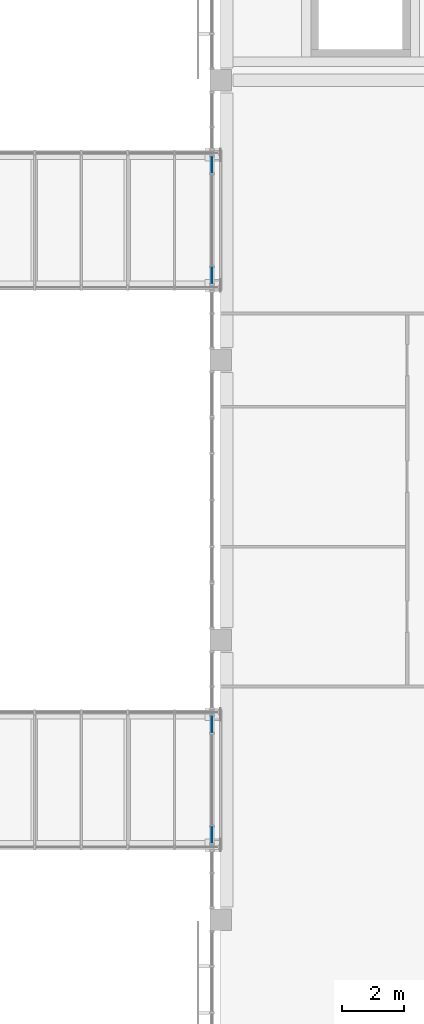
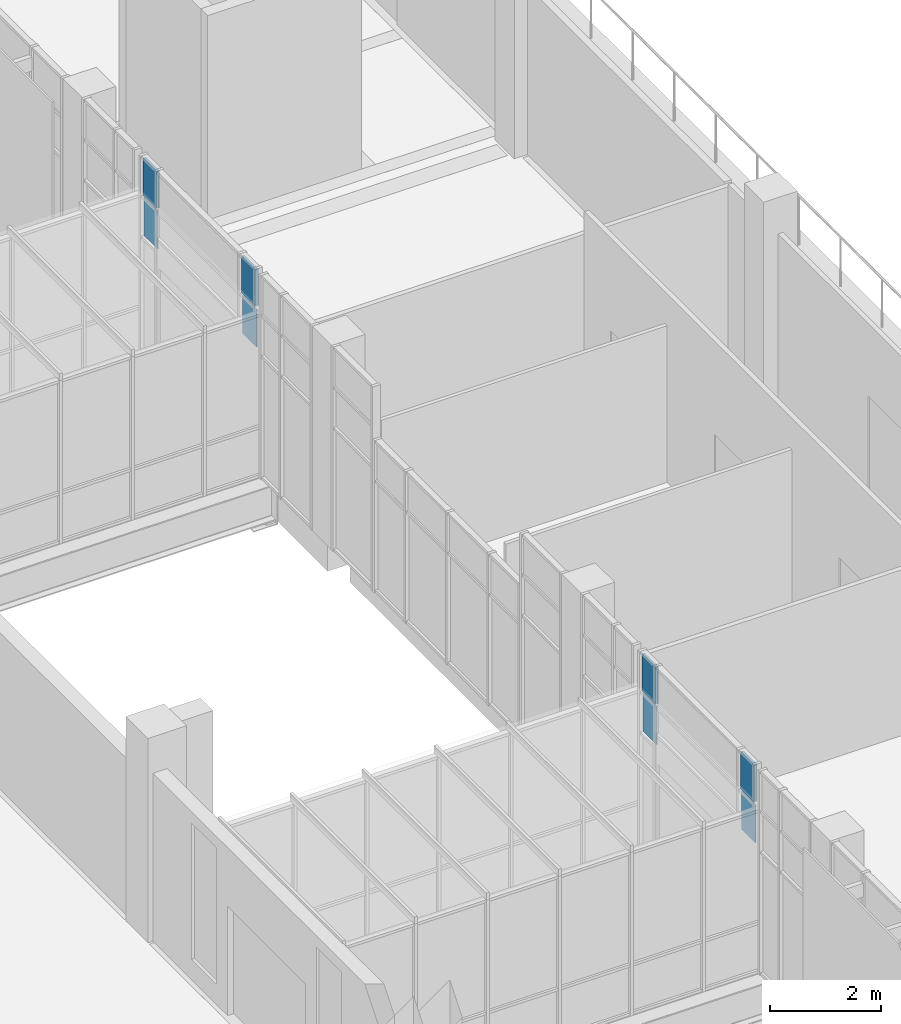
# One storey, part 66 of 106: 8 plates, 2 elements without a shape of their own.
"""IFC4 building model written with IfcOpenShell, lengths in metres."""

import ifcopenshell
import ifcopenshell.guid

model = None  # the IFC model being written
_history = None  # IfcOwnerHistory: only IFC2X3 demands one
_inside = {}  # id of a spatial element -> (the spatial element, [elements in it])
_under = {}  # id of a project, library or spatial element -> (it, [spatial elements below it])
_declared = {}  # id of a project -> (the project, [libraries it declares])
_typed = {}  # id of a type object -> (the type object, [elements of that type])
_made_of = {}  # id of a material, layer set ... -> (it, [elements and type objects made of it])


def new_model(schema):
    """Start an empty IFC model of exactly this schema.

    Asked for "IFC4X3", IfcOpenShell would pick the latest addendum, in which some entities
    have other attributes; the version numbers below select the first issue.
    IFC2X3 requires an IfcOwnerHistory on every rooted entity: one is made here for all.
    """
    global model, _history
    if schema == "IFC4X3":
        model = ifcopenshell.file(schema_version=(4, 3, 0, 0))
    else:
        model = ifcopenshell.file(schema=schema)
    _inside.clear()
    _under.clear()
    _declared.clear()
    _typed.clear()
    _made_of.clear()
    _history = None
    if model.schema == "IFC2X3":
        org = make("IfcOrganization", Name="unknown")
        user = make(
            "IfcPersonAndOrganization",
            ThePerson=make("IfcPerson", FamilyName="unknown"),
            TheOrganization=org,
        )
        app = make(
            "IfcApplication",
            ApplicationDeveloper=org,
            Version="unknown",
            ApplicationFullName="unknown",
            ApplicationIdentifier="unknown",
        )
        _history = make(
            "IfcOwnerHistory",
            OwningUser=user,
            OwningApplication=app,
            ChangeAction="ADDED",
            CreationDate=0,
        )
    return model


def make(cls, **values):
    """One entity of the class cls with the attributes given. An attribute that is None is left unset."""
    return model.create_entity(
        cls, **{name: value for name, value in values.items() if value is not None}
    )


def rooted(cls, **values):
    """An entity with a GlobalId (a new one), such as an element, a storey or a relation."""
    return make(cls, GlobalId=ifcopenshell.guid.new(), OwnerHistory=_history, **values)


def si_unit(unit_type, name, prefix=None):
    """IfcSIUnit, for example si_unit("LENGTHUNIT", "METRE", prefix="MILLI")."""
    return make("IfcSIUnit", UnitType=unit_type, Prefix=prefix, Name=name)


def assignment(units):
    """IfcUnitAssignment: the units of a project."""
    return None if units is None else make("IfcUnitAssignment", Units=units)


def point(xyz):
    """IfcCartesianPoint."""
    return None if xyz is None else make("IfcCartesianPoint", Coordinates=xyz)


def direction(xyz):
    """IfcDirection."""
    return None if xyz is None else make("IfcDirection", DirectionRatios=xyz)


def frame(location, z_axis=None, x_axis=None):
    """IfcAxis2Placement3D, a coordinate frame: its origin and axes. An axis left out is left unset."""
    return make(
        "IfcAxis2Placement3D",
        Location=point(location),
        Axis=direction(z_axis),
        RefDirection=direction(x_axis),
    )


def frame_2d(location, x_axis=None):
    """IfcAxis2Placement2D, a coordinate frame in the plane: its origin and x axis."""
    return make(
        "IfcAxis2Placement2D", Location=point(location), RefDirection=direction(x_axis)
    )


def origin():
    """The frame at (0, 0, 0) with its axes left unset."""
    return frame((0.0, 0.0, 0.0))


def origin_2d():
    """The frame at (0, 0) in the plane with its x axis left unset."""
    return frame_2d((0.0, 0.0))


def place(relative_to, where):
    """IfcLocalPlacement: puts the frame where relative to a parent placement (None: the world)."""
    return make(
        "IfcLocalPlacement", PlacementRelTo=relative_to, RelativePlacement=where
    )


def context(
    kind, dimensions, precision=None, world=None, true_north=None, identifier=None
):
    """IfcGeometricRepresentationContext, for example the 3D "Model" context."""
    return make(
        "IfcGeometricRepresentationContext",
        ContextIdentifier=identifier,
        ContextType=kind,
        CoordinateSpaceDimension=dimensions,
        Precision=precision,
        WorldCoordinateSystem=world,
        TrueNorth=true_north,
    )


def subcontext(parent, identifier, kind, view, scale=None):
    """IfcGeometricRepresentationSubContext, for example "Body" below "Model"."""
    return make(
        "IfcGeometricRepresentationSubContext",
        ContextIdentifier=identifier,
        ContextType=kind,
        ParentContext=parent,
        TargetScale=scale,
        TargetView=view,
    )


def project(units=None, contexts=None):
    """IfcProject with its units and contexts."""
    return rooted(
        "IfcProject",
        Name="project",
        RepresentationContexts=contexts,
        UnitsInContext=assignment(units),
    )


def spatial(cls, under=None, at=None, **own):
    """A site, building, storey or space (cls), placed at a placement, below another one or the project."""
    s = rooted(cls, ObjectPlacement=at, **own)
    if under is not None:
        _under.setdefault(under.id(), (under, []))[1].append(s)
    return s


def profile(cls, at=None, kind="AREA", **sizes):
    """A parametric profile (cls). Its sizes go by their IFC names, for example OverallWidth=200.0."""
    return make(cls, ProfileType=kind, Position=at, **sizes)


def rectangle(**sizes):
    """IfcRectangleProfileDef."""
    return profile("IfcRectangleProfileDef", **sizes)


def extrude(swept, where, along, depth):
    """IfcExtrudedAreaSolid: the profile swept, set in the frame where, extruded along a direction by depth."""
    return make(
        "IfcExtrudedAreaSolid",
        SweptArea=swept,
        Position=where,
        ExtrudedDirection=direction(along),
        Depth=depth,
    )


def shape(context_of_items, identifier, shape_type, items):
    """IfcShapeRepresentation: the items that make up one representation, for example the "Body"."""
    return make(
        "IfcShapeRepresentation",
        ContextOfItems=context_of_items,
        RepresentationIdentifier=identifier,
        RepresentationType=shape_type,
        Items=items,
    )


def material(Name=None, Category=None):
    """IfcMaterial."""
    return make("IfcMaterial", Name=Name, Category=Category)


def layer(
    of_material, thickness, ventilated=None, Name=None, Category=None, Priority=None
):
    """IfcMaterialLayer: one layer of a wall or slab, of a material (None: an air gap)."""
    return make(
        "IfcMaterialLayer",
        Material=of_material,
        LayerThickness=thickness,
        IsVentilated=ventilated,
        Name=Name,
        Category=Category,
        Priority=Priority,
    )


def layer_set(layers, Name=None):
    """IfcMaterialLayerSet."""
    return make("IfcMaterialLayerSet", MaterialLayers=layers, LayerSetName=Name)


def made_of(thing, what):
    """Note that an element or type object is made of a material, layer set ...; save() writes the relation."""
    if what is not None:
        _made_of.setdefault(what.id(), (what, []))[1].append(thing)
    return thing


def type_object(cls, material=None, **own):
    """A type object (cls), such as IfcWallType, which elements share."""
    return made_of(rooted(cls, **own), material)


def element(
    cls,
    number,
    at=None,
    inside=None,
    cuts=None,
    type_object=None,
    material=None,
    context=None,
    identifier="Body",
    shape_type=None,
    held_by="IfcProductDefinitionShape",
    body=None,
    shapes=None,
    **own,
):
    """One element of the class cls, such as IfcWall. Its Tag is "e" and its number.

    at: its placement. inside: the storey or other place that contains it. cuts: it is an
    opening in that element (IfcRelVoidsElement). A single representation is given by context,
    identifier, shape_type and body (its items); several are given by shapes. held_by: the class
    of the entity that holds the representations. save() writes the other relations.
    """
    e = rooted(cls, Tag="e%d" % number, ObjectPlacement=at, **own)
    if body is not None:
        shapes = [shape(context, identifier, shape_type, body)]
    if shapes is not None:
        e.Representation = make(held_by, Representations=shapes)
    if inside is not None:
        _inside.setdefault(inside.id(), (inside, []))[1].append(e)
    if cuts is not None:
        rooted(
            "IfcRelVoidsElement", RelatingBuildingElement=cuts, RelatedOpeningElement=e
        )
    if type_object is not None:
        _typed.setdefault(type_object.id(), (type_object, []))[1].append(e)
    return made_of(e, material)


def aggregate(whole, parts):
    """IfcRelAggregates: a whole, such as a stair, and the parts it consists of."""
    return rooted("IfcRelAggregates", RelatingObject=whole, RelatedObjects=parts)


def save(model, path):
    """Write the relations noted so far, then the file.

    IfcRelAggregates (storeys below a building ...), IfcRelContainedInSpatialStructure (elements
    in a storey), IfcRelDefinesByType, IfcRelAssociatesMaterial and IfcRelDeclares: one each for
    every whole, place, type object, material and project.
    """
    for whole, parts in _under.values():
        aggregate(whole, parts)
    for where, things in _inside.values():
        rooted(
            "IfcRelContainedInSpatialStructure",
            RelatedElements=things,
            RelatingStructure=where,
        )
    for kind, things in _typed.values():
        rooted("IfcRelDefinesByType", RelatedObjects=things, RelatingType=kind)
    for what, things in _made_of.values():
        rooted("IfcRelAssociatesMaterial", RelatedObjects=things, RelatingMaterial=what)
    for by, libraries in _declared.values():
        rooted("IfcRelDeclares", RelatingContext=by, RelatedDefinitions=libraries)
    model.write(path)


model = new_model("IFC4")

# Units and contexts
model_context = context("Model", 3, precision=1e-05, world=origin(), true_north=direction((0.0, 1.0)))
body_context = subcontext(model_context, "Body", "Model", "MODEL_VIEW")
ifc_project = project(units=[si_unit("LENGTHUNIT", "METRE"), si_unit("AREAUNIT", "SQUARE_METRE"), si_unit("VOLUMEUNIT", "CUBIC_METRE"), si_unit("PLANEANGLEUNIT", "RADIAN"), si_unit("MASSUNIT", "GRAM", prefix="KILO")], contexts=[model_context])

# Site, building, storey
site_placement = place(None, origin())
site = spatial("IfcSite", under=ifc_project, at=site_placement, CompositionType="ELEMENT")
building_placement = place(site_placement, origin())
building = spatial("IfcBuilding", under=site, at=building_placement, Name="Guidao Yard Department Store", CompositionType="ELEMENT")
storey_placement = place(building_placement, frame((0.0, 0.0, 10.5)))
storey = spatial("IfcBuildingStorey", under=building, at=storey_placement, Name="L02", CompositionType="ELEMENT", Elevation=10.5)

# Curtain wall, plates
ifc_material_1 = material(Name="Aluminium and glass", Category="aluminium")
ifc_layer_1 = layer(ifc_material_1, 0.159912109375)
ifc_layer_set_1 = layer_set([ifc_layer_1], Name="Shopfront curtain wall CW1 1500 module")
curtain_wall_type = type_object("IfcCurtainWallType", Name="Shopfront curtain wall CW1 1500 module", PredefinedType="NOTDEFINED", material=ifc_layer_set_1)
curtain_wall_1_placement = place(storey_placement, origin())
curtain_wall_1 = element("IfcCurtainWall", 1, at=curtain_wall_1_placement, inside=storey, type_object=curtain_wall_type, Name="Arcade shop front", PredefinedType="NOTDEFINED")
ifc_material_2 = material(Name="Aluminium 6063-T5 faced insulated spandrel", Category="aluminium")
ifc_layer_2 = layer(ifc_material_2, 0.06005859375)
ifc_layer_set_2 = layer_set([ifc_layer_2], Name="Spandrel panel SP1 insulated opaque")
plate_type_1 = type_object("IfcPlateType", Name="Spandrel panel SP1 insulated opaque", PredefinedType="CURTAIN_PANEL", material=ifc_layer_set_2)
plate_1_placement = place(storey_placement, frame((71.719970703125, 56.719970703125, 3.6298828125), z_axis=(0.0, 0.0, 1.0), x_axis=(0.0, 1.0, 0.0)))
plate_1 = element("IfcPlate", 2, at=plate_1_placement, type_object=plate_type_1, Name="CW-AS-L02-03 panel 1.3", PredefinedType="CURTAIN_PANEL", context=body_context, shape_type="SweptSolid", body=[
    extrude(rectangle(XDim=0.5, YDim=0.06005859375, at=origin_2d()), origin(), (0.0, 0.0, 1.0), 0.81005859375),
])
plate_2_placement = place(storey_placement, frame((71.719970703125, 60.280029296875, 3.6298828125), z_axis=(0.0, 0.0, 1.0), x_axis=(0.0, 1.0, 0.0)))
plate_2 = element("IfcPlate", 3, at=plate_2_placement, type_object=plate_type_1, Name="CW-AS-L02-03 panel 3.3", PredefinedType="CURTAIN_PANEL", context=body_context, shape_type="SweptSolid", body=[
    extrude(rectangle(XDim=0.5, YDim=0.06005859375, at=origin_2d()), origin(), (0.0, 0.0, 1.0), 0.81005859375),
])

curtain_wall_2_placement = place(storey_placement, origin())
curtain_wall_2 = element("IfcCurtainWall", 4, at=curtain_wall_2_placement, inside=storey, type_object=curtain_wall_type, Name="Arcade shop front", PredefinedType="NOTDEFINED")
plate_3_placement = place(storey_placement, frame((71.719970703125, 74.719970703125, 3.6298828125), z_axis=(0.0, 0.0, 1.0), x_axis=(0.0, 1.0, 0.0)))
plate_3 = element("IfcPlate", 5, at=plate_3_placement, type_object=plate_type_1, Name="CW-AS-L02-09 panel 1.3", PredefinedType="CURTAIN_PANEL", context=body_context, shape_type="SweptSolid", body=[
    extrude(rectangle(XDim=0.5, YDim=0.06005859375, at=origin_2d()), origin(), (0.0, 0.0, 1.0), 0.81005859375),
])
plate_4_placement = place(storey_placement, frame((71.719970703125, 78.280029296875, 3.6298828125), z_axis=(0.0, 0.0, 1.0), x_axis=(0.0, 1.0, 0.0)))
plate_4 = element("IfcPlate", 6, at=plate_4_placement, type_object=plate_type_1, Name="CW-AS-L02-09 panel 3.3", PredefinedType="CURTAIN_PANEL", context=body_context, shape_type="SweptSolid", body=[
    extrude(rectangle(XDim=0.5, YDim=0.06005859375, at=origin_2d()), origin(), (0.0, 0.0, 1.0), 0.81005859375),
])

# Plate
ifc_material_3 = material(Name="Laminated heat-soaked tempered glass", Category="glass")
ifc_layer_3 = layer(ifc_material_3, 0.017578125)
ifc_layer_set_3 = layer_set([ifc_layer_3], Name="Vision glass VG1 laminated heat-soaked tempered 8+8")
plate_type_2 = type_object("IfcPlateType", Name="Vision glass VG1 laminated heat-soaked tempered 8+8", PredefinedType="CURTAIN_PANEL", material=ifc_layer_set_3)
plate_5_placement = place(storey_placement, frame((71.719970703125, 56.719970703125, 2.72998046875), z_axis=(0.0, 0.0, 1.0), x_axis=(0.0, 1.0, 0.0)))
plate_5 = element("IfcPlate", 7, at=plate_5_placement, type_object=plate_type_2, Name="CW-AS-L02-03 panel 1.2", PredefinedType="CURTAIN_PANEL", context=body_context, shape_type="SweptSolid", body=[
    extrude(rectangle(XDim=0.5, YDim=0.017578125, at=origin_2d()), origin(), (0.0, 0.0, 1.0), 0.840087890625),
])

plate_6_placement = place(storey_placement, frame((71.719970703125, 60.280029296875, 2.72998046875), z_axis=(0.0, 0.0, 1.0), x_axis=(0.0, 1.0, 0.0)))
plate_6 = element("IfcPlate", 8, at=plate_6_placement, type_object=plate_type_2, Name="CW-AS-L02-03 panel 3.2", PredefinedType="CURTAIN_PANEL", context=body_context, shape_type="SweptSolid", body=[
    extrude(rectangle(XDim=0.5, YDim=0.017578125, at=origin_2d()), origin(), (0.0, 0.0, 1.0), 0.840087890625),
])

aggregate(curtain_wall_1, [plate_5, plate_1, plate_6, plate_2])

plate_7_placement = place(storey_placement, frame((71.719970703125, 74.719970703125, 2.72998046875), z_axis=(0.0, 0.0, 1.0), x_axis=(0.0, 1.0, 0.0)))
plate_7 = element("IfcPlate", 9, at=plate_7_placement, type_object=plate_type_2, Name="CW-AS-L02-09 panel 1.2", PredefinedType="CURTAIN_PANEL", context=body_context, shape_type="SweptSolid", body=[
    extrude(rectangle(XDim=0.5, YDim=0.017578125, at=origin_2d()), origin(), (0.0, 0.0, 1.0), 0.840087890625),
])

plate_8_placement = place(storey_placement, frame((71.719970703125, 78.280029296875, 2.72998046875), z_axis=(0.0, 0.0, 1.0), x_axis=(0.0, 1.0, 0.0)))
plate_8 = element("IfcPlate", 10, at=plate_8_placement, type_object=plate_type_2, Name="CW-AS-L02-09 panel 3.2", PredefinedType="CURTAIN_PANEL", context=body_context, shape_type="SweptSolid", body=[
    extrude(rectangle(XDim=0.5, YDim=0.017578125, at=origin_2d()), origin(), (0.0, 0.0, 1.0), 0.840087890625),
])

aggregate(curtain_wall_2, [plate_7, plate_3, plate_8, plate_4])

save(model, "model.ifc")
